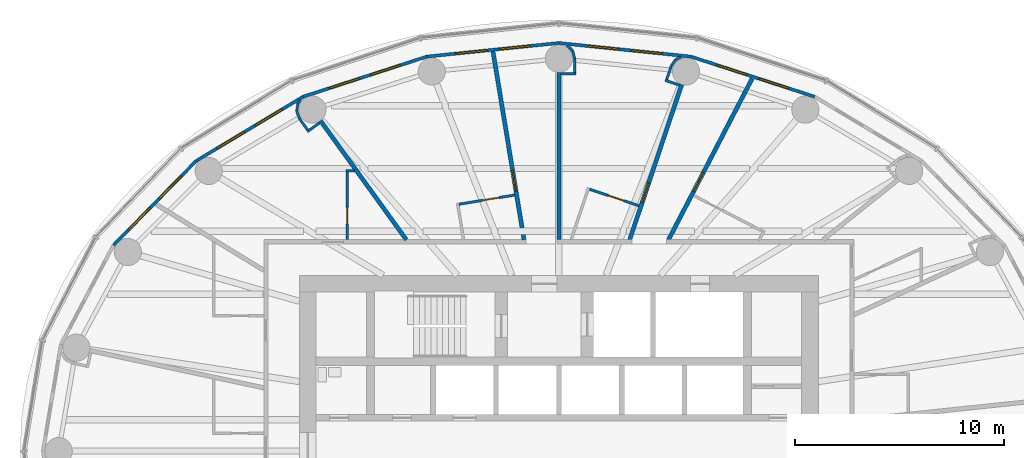
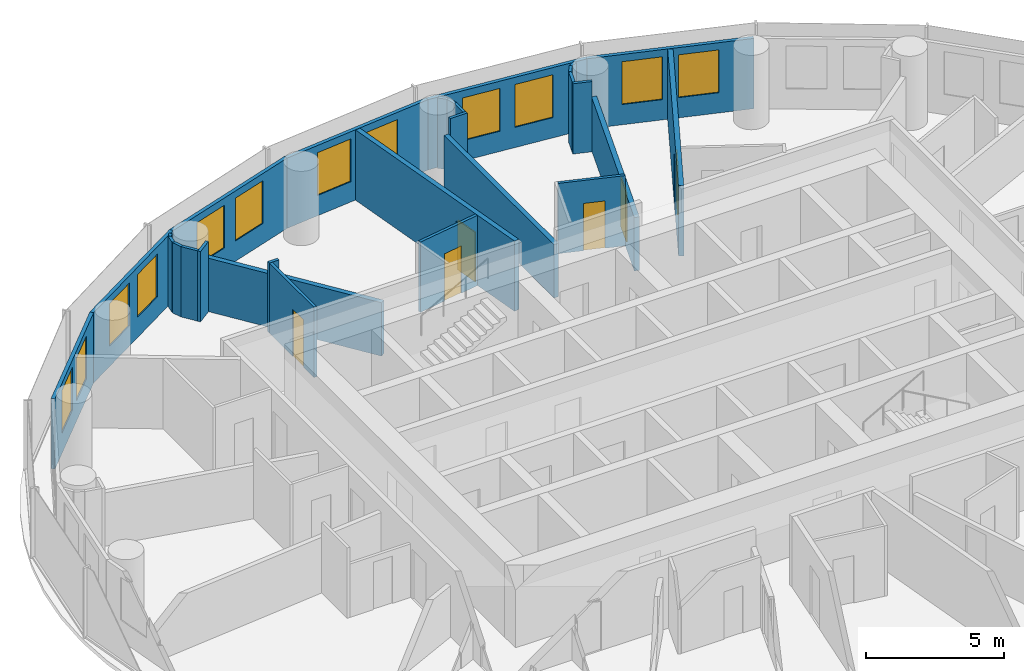
# One storey, part 11 of 14: 28 walls, 12 windows, 6 doors, 18 openings.
"""IFC4 building model written with IfcOpenShell, lengths in metres."""

from ifc_helpers import new_model, si_unit, direction, frame, frame_2d, origin, place, context, subcontext, project, spatial, rectangle, extrude, material, layer, layer_set, type_object, element, fill, save


model = new_model("IFC4")

# Units and contexts
model_context = context("Model", 3, precision=1e-05, world=origin(), true_north=direction((0.0, 1.0)))
body_context = subcontext(model_context, "Body", "Model", "MODEL_VIEW")
ifc_project = project(units=[si_unit("LENGTHUNIT", "METRE"), si_unit("AREAUNIT", "SQUARE_METRE"), si_unit("VOLUMEUNIT", "CUBIC_METRE"), si_unit("PLANEANGLEUNIT", "RADIAN"), si_unit("MASSUNIT", "GRAM", prefix="KILO")], contexts=[model_context])

# Site, building, storey
site_placement = place(None, origin())
site = spatial("IfcSite", under=ifc_project, at=site_placement, CompositionType="ELEMENT")
building_placement = place(site_placement, origin())
building = spatial("IfcBuilding", under=site, at=building_placement, Name="Hankou Lantern Tower", CompositionType="ELEMENT")
storey_placement = place(building_placement, frame((0.0, 0.0, 108.89990234375)))
storey = spatial("IfcBuildingStorey", under=building, at=storey_placement, Name="L27", CompositionType="ELEMENT", Elevation=108.89990234375)

# Wall, openings, windows
ifc_material_1 = material(Name="Aluminium spandrel panel on steel studs", Category="steel")
ifc_layer_1 = layer(ifc_material_1, 0.14990234375)
ifc_layer_set_1 = layer_set([ifc_layer_1], Name="Aluminium spandrel panel on steel studs")
wall_type_1 = type_object("IfcWallType", Name="EW1 INNER SKIN WALL 150", PredefinedType="ELEMENTEDWALL", material=ifc_layer_set_1)
wall_1_placement = place(storey_placement, frame((12.221435546875, 16.9345703125, 0.0), z_axis=(0.0, 0.0, 1.0), x_axis=(-0.951272691506, 0.308350881944, 0.0)))
wall_1 = element("IfcWall", 1, at=wall_1_placement, inside=storey, type_object=wall_type_1, Name="Inner skin R05-R06 L27", PredefinedType="ELEMENTEDWALL", context=body_context, shape_type="SweptSolid", body=[
    extrude(rectangle(XDim=6.210693359375, YDim=0.14990234375, at=frame_2d((3.10546875, 0.0))), origin(), (0.0, 0.0, 1.0), 3.1201171875),
])
opening_1_placement = place(wall_1_placement, frame((1.305419921875, 0.0, 0.89990234375)))
opening_1 = element("IfcOpeningElement", 2, at=opening_1_placement, cuts=wall_1, Name="Opening W2", PredefinedType="OPENING", context=body_context, shape_type="SweptSolid", body=[
    extrude(rectangle(XDim=1.5, YDim=1.89990234375, at=frame_2d((0.75, 0.949951171875))), frame((0.0, 0.0849609375, 0.0), z_axis=(0.0, -1.0, 0.0), x_axis=(1.0, 0.0, 0.0)), (0.0, 0.0, 1.0), 0.169921875),
])
opening_2_placement = place(wall_1_placement, frame((3.4052734375, 0.0, 0.89990234375)))
opening_2 = element("IfcOpeningElement", 3, at=opening_2_placement, cuts=wall_1, Name="Opening W2", PredefinedType="OPENING", context=body_context, shape_type="SweptSolid", body=[
    extrude(rectangle(XDim=1.5, YDim=1.89990234375, at=frame_2d((0.75, 0.949951171875))), frame((0.0, 0.0849609375, 0.0), z_axis=(0.0, -1.0, 0.0), x_axis=(1.0, 0.0, 0.0)), (0.0, 0.0, 1.0), 0.169921875),
])
ifc_material_2 = material(Name="Aluminium framed double glazed window", Category="aluminium")
window_type = type_object("IfcWindowType", Name="W2 GUEST ROOM WINDOW 1500X1900", PartitioningType="DOUBLE_PANEL_VERTICAL", PredefinedType="WINDOW", material=ifc_material_2)
window_1_placement = place(opening_1_placement, origin())
window_1 = element("IfcWindow", 4, at=window_1_placement, inside=storey, type_object=window_type, Name="Window R05.1 L27", OverallHeight=1.89990234375, OverallWidth=1.5, PartitioningType="SINGLE_PANEL", PredefinedType="WINDOW", context=body_context, shape_type="SweptSolid", body=[
    extrude(rectangle(XDim=1.5, YDim=1.89990234375, at=frame_2d((0.75, 0.949951171875))), frame((0.0, 0.030029296875, 0.0), z_axis=(0.0, -1.0, 0.0), x_axis=(1.0, 0.0, 0.0)), (0.0, 0.0, 1.0), 0.06005859375),
])
fill(opening_1, window_1)
window_2_placement = place(opening_2_placement, origin())
window_2 = element("IfcWindow", 5, at=window_2_placement, inside=storey, type_object=window_type, Name="Window R05.2 L27", OverallHeight=1.89990234375, OverallWidth=1.5, PartitioningType="SINGLE_PANEL", PredefinedType="WINDOW", context=body_context, shape_type="SweptSolid", body=[
    extrude(rectangle(XDim=1.5, YDim=1.89990234375, at=frame_2d((0.75, 0.949951171875))), frame((0.0, 0.030029296875, 0.0), z_axis=(0.0, -1.0, 0.0), x_axis=(1.0, 0.0, 0.0)), (0.0, 0.0, 1.0), 0.06005859375),
])
fill(opening_2, window_2)

wall_2_placement = place(storey_placement, frame((6.3134765625, 18.849609375, 0.0), z_axis=(0.0, 0.0, 1.0), x_axis=(-0.994735690163, 0.102473931887, 0.0)))
wall_2 = element("IfcWall", 6, at=wall_2_placement, inside=storey, type_object=wall_type_1, Name="Inner skin R06-R07 L27", PredefinedType="ELEMENTEDWALL", context=body_context, shape_type="SweptSolid", body=[
    extrude(rectangle(XDim=6.346923828125, YDim=0.14990234375, at=frame_2d((3.17333984375, 0.0))), origin(), (0.0, 0.0, 1.0), 3.1201171875),
])
opening_3_placement = place(wall_2_placement, frame((1.373291015625, 0.0, 0.89990234375)))
opening_3 = element("IfcOpeningElement", 7, at=opening_3_placement, cuts=wall_2, Name="Opening W2", PredefinedType="OPENING", context=body_context, shape_type="SweptSolid", body=[
    extrude(rectangle(XDim=1.5, YDim=1.89990234375, at=frame_2d((0.75, 0.949951171875))), frame((0.0, 0.0849609375, 0.0), z_axis=(0.0, -1.0, 0.0), x_axis=(1.0, 0.0, 0.0)), (0.0, 0.0, 1.0), 0.169921875),
])
opening_4_placement = place(wall_2_placement, frame((3.473388671875, 0.0, 0.89990234375)))
opening_4 = element("IfcOpeningElement", 8, at=opening_4_placement, cuts=wall_2, Name="Opening W2", PredefinedType="OPENING", context=body_context, shape_type="SweptSolid", body=[
    extrude(rectangle(XDim=1.5, YDim=1.89990234375, at=frame_2d((0.75, 0.949951171875))), frame((0.0, 0.0849609375, 0.0), z_axis=(0.0, -1.0, 0.0), x_axis=(1.0, 0.0, 0.0)), (0.0, 0.0, 1.0), 0.169921875),
])
window_3_placement = place(opening_3_placement, origin())
window_3 = element("IfcWindow", 9, at=window_3_placement, inside=storey, type_object=window_type, Name="Window R06.1 L27", OverallHeight=1.89990234375, OverallWidth=1.5, PartitioningType="SINGLE_PANEL", PredefinedType="WINDOW", context=body_context, shape_type="SweptSolid", body=[
    extrude(rectangle(XDim=1.5, YDim=1.89990234375, at=frame_2d((0.75, 0.949951171875))), frame((0.0, 0.030029296875, 0.0), z_axis=(0.0, -1.0, 0.0), x_axis=(1.0, 0.0, 0.0)), (0.0, 0.0, 1.0), 0.06005859375),
])
fill(opening_3, window_3)
window_4_placement = place(opening_4_placement, origin())
window_4 = element("IfcWindow", 10, at=window_4_placement, inside=storey, type_object=window_type, Name="Window R06.2 L27", OverallHeight=1.89990234375, OverallWidth=1.5, PartitioningType="SINGLE_PANEL", PredefinedType="WINDOW", context=body_context, shape_type="SweptSolid", body=[
    extrude(rectangle(XDim=1.5, YDim=1.89990234375, at=frame_2d((0.75, 0.949951171875))), frame((0.0, 0.030029296875, 0.0), z_axis=(0.0, -1.0, 0.0), x_axis=(1.0, 0.0, 0.0)), (0.0, 0.0, 1.0), 0.06005859375),
])
fill(opening_4, window_4)

wall_3_placement = place(storey_placement, frame((0.0, 19.5, 0.0), z_axis=(0.0, 0.0, 1.0), x_axis=(-0.994735690163, -0.102473931887, 0.0)))
wall_3 = element("IfcWall", 11, at=wall_3_placement, inside=storey, type_object=wall_type_1, Name="Inner skin R07-R08 L27", PredefinedType="ELEMENTEDWALL", context=body_context, shape_type="SweptSolid", body=[
    extrude(rectangle(XDim=6.346923828125, YDim=0.14990234375, at=frame_2d((3.17333984375, 0.0))), origin(), (0.0, 0.0, 1.0), 3.1201171875),
])
opening_5_placement = place(wall_3_placement, frame((1.373291015625, 0.0, 0.89990234375)))
opening_5 = element("IfcOpeningElement", 12, at=opening_5_placement, cuts=wall_3, Name="Opening W2", PredefinedType="OPENING", context=body_context, shape_type="SweptSolid", body=[
    extrude(rectangle(XDim=1.5, YDim=1.89990234375, at=frame_2d((0.75, 0.949951171875))), frame((0.0, 0.0849609375, 0.0), z_axis=(0.0, -1.0, 0.0), x_axis=(1.0, 0.0, 0.0)), (0.0, 0.0, 1.0), 0.169921875),
])
opening_6_placement = place(wall_3_placement, frame((3.473388671875, 0.0, 0.89990234375)))
opening_6 = element("IfcOpeningElement", 13, at=opening_6_placement, cuts=wall_3, Name="Opening W2", PredefinedType="OPENING", context=body_context, shape_type="SweptSolid", body=[
    extrude(rectangle(XDim=1.5, YDim=1.89990234375, at=frame_2d((0.75, 0.949951171875))), frame((0.0, 0.0849609375, 0.0), z_axis=(0.0, -1.0, 0.0), x_axis=(1.0, 0.0, 0.0)), (0.0, 0.0, 1.0), 0.169921875),
])
window_5_placement = place(opening_5_placement, origin())
window_5 = element("IfcWindow", 14, at=window_5_placement, inside=storey, type_object=window_type, Name="Window R07.1 L27", OverallHeight=1.89990234375, OverallWidth=1.5, PartitioningType="SINGLE_PANEL", PredefinedType="WINDOW", context=body_context, shape_type="SweptSolid", body=[
    extrude(rectangle(XDim=1.5, YDim=1.89990234375, at=frame_2d((0.75, 0.949951171875))), frame((0.0, 0.030029296875, 0.0), z_axis=(0.0, -1.0, 0.0), x_axis=(1.0, 0.0, 0.0)), (0.0, 0.0, 1.0), 0.06005859375),
])
fill(opening_5, window_5)
window_6_placement = place(opening_6_placement, origin())
window_6 = element("IfcWindow", 15, at=window_6_placement, inside=storey, type_object=window_type, Name="Window R07.2 L27", OverallHeight=1.89990234375, OverallWidth=1.5, PartitioningType="SINGLE_PANEL", PredefinedType="WINDOW", context=body_context, shape_type="SweptSolid", body=[
    extrude(rectangle(XDim=1.5, YDim=1.89990234375, at=frame_2d((0.75, 0.949951171875))), frame((0.0, 0.030029296875, 0.0), z_axis=(0.0, -1.0, 0.0), x_axis=(1.0, 0.0, 0.0)), (0.0, 0.0, 1.0), 0.06005859375),
])
fill(opening_6, window_6)

wall_4_placement = place(storey_placement, frame((-6.3134765625, 18.849609375, 0.0), z_axis=(0.0, 0.0, 1.0), x_axis=(-0.951272691506, -0.308350881944, 0.0)))
wall_4 = element("IfcWall", 16, at=wall_4_placement, inside=storey, type_object=wall_type_1, Name="Inner skin R08-R09 L27", PredefinedType="ELEMENTEDWALL", context=body_context, shape_type="SweptSolid", body=[
    extrude(rectangle(XDim=6.210693359375, YDim=0.14990234375, at=frame_2d((3.10546875, 0.0))), origin(), (0.0, 0.0, 1.0), 3.1201171875),
])
opening_7_placement = place(wall_4_placement, frame((1.305419921875, 0.0, 0.89990234375)))
opening_7 = element("IfcOpeningElement", 17, at=opening_7_placement, cuts=wall_4, Name="Opening W2", PredefinedType="OPENING", context=body_context, shape_type="SweptSolid", body=[
    extrude(rectangle(XDim=1.5, YDim=1.89990234375, at=frame_2d((0.75, 0.949951171875))), frame((0.0, 0.0849609375, 0.0), z_axis=(0.0, -1.0, 0.0), x_axis=(1.0, 0.0, 0.0)), (0.0, 0.0, 1.0), 0.169921875),
])
opening_8_placement = place(wall_4_placement, frame((3.4052734375, 0.0, 0.89990234375)))
opening_8 = element("IfcOpeningElement", 18, at=opening_8_placement, cuts=wall_4, Name="Opening W2", PredefinedType="OPENING", context=body_context, shape_type="SweptSolid", body=[
    extrude(rectangle(XDim=1.5, YDim=1.89990234375, at=frame_2d((0.75, 0.949951171875))), frame((0.0, 0.0849609375, 0.0), z_axis=(0.0, -1.0, 0.0), x_axis=(1.0, 0.0, 0.0)), (0.0, 0.0, 1.0), 0.169921875),
])
window_7_placement = place(opening_7_placement, origin())
window_7 = element("IfcWindow", 19, at=window_7_placement, inside=storey, type_object=window_type, Name="Window R08.1 L27", OverallHeight=1.89990234375, OverallWidth=1.5, PartitioningType="SINGLE_PANEL", PredefinedType="WINDOW", context=body_context, shape_type="SweptSolid", body=[
    extrude(rectangle(XDim=1.5, YDim=1.89990234375, at=frame_2d((0.75, 0.949951171875))), frame((0.0, 0.030029296875, 0.0), z_axis=(0.0, -1.0, 0.0), x_axis=(1.0, 0.0, 0.0)), (0.0, 0.0, 1.0), 0.06005859375),
])
fill(opening_7, window_7)
window_8_placement = place(opening_8_placement, origin())
window_8 = element("IfcWindow", 20, at=window_8_placement, inside=storey, type_object=window_type, Name="Window R08.2 L27", OverallHeight=1.89990234375, OverallWidth=1.5, PartitioningType="SINGLE_PANEL", PredefinedType="WINDOW", context=body_context, shape_type="SweptSolid", body=[
    extrude(rectangle(XDim=1.5, YDim=1.89990234375, at=frame_2d((0.75, 0.949951171875))), frame((0.0, 0.030029296875, 0.0), z_axis=(0.0, -1.0, 0.0), x_axis=(1.0, 0.0, 0.0)), (0.0, 0.0, 1.0), 0.06005859375),
])
fill(opening_8, window_8)

wall_5_placement = place(storey_placement, frame((-12.221435546875, 16.9345703125, 0.0), z_axis=(0.0, 0.0, 1.0), x_axis=(-0.857308573723, -0.514802884044, 0.0)))
wall_5 = element("IfcWall", 21, at=wall_5_placement, inside=storey, type_object=wall_type_1, Name="Inner skin R09-R10 L27", PredefinedType="ELEMENTEDWALL", context=body_context, shape_type="SweptSolid", body=[
    extrude(rectangle(XDim=5.961181640625, YDim=0.14990234375, at=frame_2d((2.98046875, 0.0))), origin(), (0.0, 0.0, 1.0), 3.1201171875),
])
opening_9_placement = place(wall_5_placement, frame((1.1806640625, 0.0, 0.89990234375)))
opening_9 = element("IfcOpeningElement", 22, at=opening_9_placement, cuts=wall_5, Name="Opening W2", PredefinedType="OPENING", context=body_context, shape_type="SweptSolid", body=[
    extrude(rectangle(XDim=1.5, YDim=1.89990234375, at=frame_2d((0.75, 0.949951171875))), frame((0.0, 0.0849609375, 0.0), z_axis=(0.0, -1.0, 0.0), x_axis=(1.0, 0.0, 0.0)), (0.0, 0.0, 1.0), 0.169921875),
])
opening_10_placement = place(wall_5_placement, frame((3.280517578125, 0.0, 0.89990234375)))
opening_10 = element("IfcOpeningElement", 23, at=opening_10_placement, cuts=wall_5, Name="Opening W2", PredefinedType="OPENING", context=body_context, shape_type="SweptSolid", body=[
    extrude(rectangle(XDim=1.5, YDim=1.89990234375, at=frame_2d((0.75, 0.949951171875))), frame((0.0, 0.0849609375, 0.0), z_axis=(0.0, -1.0, 0.0), x_axis=(1.0, 0.0, 0.0)), (0.0, 0.0, 1.0), 0.169921875),
])
window_9_placement = place(opening_9_placement, origin())
window_9 = element("IfcWindow", 24, at=window_9_placement, inside=storey, type_object=window_type, Name="Window R09.1 L27", OverallHeight=1.89990234375, OverallWidth=1.5, PartitioningType="SINGLE_PANEL", PredefinedType="WINDOW", context=body_context, shape_type="SweptSolid", body=[
    extrude(rectangle(XDim=1.5, YDim=1.89990234375, at=frame_2d((0.75, 0.949951171875))), frame((0.0, 0.030029296875, 0.0), z_axis=(0.0, -1.0, 0.0), x_axis=(1.0, 0.0, 0.0)), (0.0, 0.0, 1.0), 0.06005859375),
])
fill(opening_9, window_9)
window_10_placement = place(opening_10_placement, origin())
window_10 = element("IfcWindow", 25, at=window_10_placement, inside=storey, type_object=window_type, Name="Window R09.2 L27", OverallHeight=1.89990234375, OverallWidth=1.5, PartitioningType="SINGLE_PANEL", PredefinedType="WINDOW", context=body_context, shape_type="SweptSolid", body=[
    extrude(rectangle(XDim=1.5, YDim=1.89990234375, at=frame_2d((0.75, 0.949951171875))), frame((0.0, 0.030029296875, 0.0), z_axis=(0.0, -1.0, 0.0), x_axis=(1.0, 0.0, 0.0)), (0.0, 0.0, 1.0), 0.06005859375),
])
fill(opening_10, window_10)

wall_6_placement = place(storey_placement, frame((-17.33203125, 13.86572265625, 0.0), z_axis=(0.0, 0.0, 1.0), x_axis=(-0.700136650834, -0.714008872605, 0.0)))
wall_6 = element("IfcWall", 26, at=wall_6_placement, inside=storey, type_object=wall_type_1, Name="Inner skin R10-R11 L27", PredefinedType="ELEMENTEDWALL", context=body_context, shape_type="SweptSolid", body=[
    extrude(rectangle(XDim=5.6494140625, YDim=0.14990234375, at=frame_2d((2.82470703125, 0.0))), origin(), (0.0, 0.0, 1.0), 3.1201171875),
])
opening_11_placement = place(wall_6_placement, frame((1.024658203125, 0.0, 0.89990234375)))
opening_11 = element("IfcOpeningElement", 27, at=opening_11_placement, cuts=wall_6, Name="Opening W2", PredefinedType="OPENING", context=body_context, shape_type="SweptSolid", body=[
    extrude(rectangle(XDim=1.5, YDim=1.89990234375, at=frame_2d((0.75, 0.949951171875))), frame((0.0, 0.0849609375, 0.0), z_axis=(0.0, -1.0, 0.0), x_axis=(1.0, 0.0, 0.0)), (0.0, 0.0, 1.0), 0.169921875),
])
opening_12_placement = place(wall_6_placement, frame((3.12451171875, 0.0, 0.89990234375)))
opening_12 = element("IfcOpeningElement", 28, at=opening_12_placement, cuts=wall_6, Name="Opening W2", PredefinedType="OPENING", context=body_context, shape_type="SweptSolid", body=[
    extrude(rectangle(XDim=1.5, YDim=1.89990234375, at=frame_2d((0.75, 0.949951171875))), frame((0.0, 0.0849609375, 0.0), z_axis=(0.0, -1.0, 0.0), x_axis=(1.0, 0.0, 0.0)), (0.0, 0.0, 1.0), 0.169921875),
])
window_11_placement = place(opening_11_placement, origin())
window_11 = element("IfcWindow", 29, at=window_11_placement, inside=storey, type_object=window_type, Name="Window R10.1 L27", OverallHeight=1.89990234375, OverallWidth=1.5, PartitioningType="SINGLE_PANEL", PredefinedType="WINDOW", context=body_context, shape_type="SweptSolid", body=[
    extrude(rectangle(XDim=1.5, YDim=1.89990234375, at=frame_2d((0.75, 0.949951171875))), frame((0.0, 0.030029296875, 0.0), z_axis=(0.0, -1.0, 0.0), x_axis=(1.0, 0.0, 0.0)), (0.0, 0.0, 1.0), 0.06005859375),
])
fill(opening_11, window_11)
window_12_placement = place(opening_12_placement, origin())
window_12 = element("IfcWindow", 30, at=window_12_placement, inside=storey, type_object=window_type, Name="Window R10.2 L27", OverallHeight=1.89990234375, OverallWidth=1.5, PartitioningType="SINGLE_PANEL", PredefinedType="WINDOW", context=body_context, shape_type="SweptSolid", body=[
    extrude(rectangle(XDim=1.5, YDim=1.89990234375, at=frame_2d((0.75, 0.949951171875))), frame((0.0, 0.030029296875, 0.0), z_axis=(0.0, -1.0, 0.0), x_axis=(1.0, 0.0, 0.0)), (0.0, 0.0, 1.0), 0.06005859375),
])
fill(opening_12, window_12)

# Wall
ifc_material_3 = material(Name="Masonry lightweight concrete block", Category="masonry")
ifc_layer_2 = layer(ifc_material_3, 0.199951171875)
ifc_layer_set_2 = layer_set([ifc_layer_2], Name="Masonry lightweight concrete block")
wall_type_2 = type_object("IfcWallType", Name="IW1 GUEST ROOM PARTY WALL 200", PredefinedType="PARTITIONING", material=ifc_layer_set_2)
wall_7_placement = place(storey_placement, frame((-7.2890625, 10.10009765625, 0.0), z_axis=(0.0, 0.0, 1.0), x_axis=(-0.585217367024, 0.81087645997, 0.0)))
element("IfcWall", 31, at=wall_7_placement, inside=storey, type_object=wall_type_2, Name="Party wall R09", PredefinedType="PARTITIONING", context=body_context, shape_type="SweptSolid", body=[
    extrude(rectangle(XDim=7.01611328125, YDim=0.199951171875, at=frame_2d((3.508056640625, 0.0))), origin(), (0.0, 0.0, 1.0), 2.3701171875),
])

# Wall, opening, door
ifc_material_4 = material(Name="Masonry lightweight concrete block", Category="masonry")
ifc_layer_3 = layer(ifc_material_4, 0.199951171875)
ifc_layer_set_3 = layer_set([ifc_layer_3], Name="Masonry lightweight concrete block")
wall_type_3 = type_object("IfcWallType", Name="IW2 CORRIDOR WALL 200", PredefinedType="PARTITIONING", material=ifc_layer_set_3)
wall_8_placement = place(storey_placement, frame((5.2392578125, 10.10009765625, 0.0), z_axis=(0.0, 0.0, 1.0), x_axis=(0.4604797896, 0.887670188398, 0.0)))
wall_8 = element("IfcWall", 32, at=wall_8_placement, inside=storey, type_object=wall_type_3, Name="Corridor spur wall R05-R06", PredefinedType="PARTITIONING", context=body_context, shape_type="SweptSolid", body=[
    extrude(rectangle(XDim=8.676025390625, YDim=0.199951171875, at=frame_2d((4.337890625, 0.0))), origin(), (0.0, 0.0, 1.0), 3.1201171875),
])
opening_13_placement = place(wall_8_placement, frame((2.610107421875, 0.0, 0.0)))
opening_13 = element("IfcOpeningElement", 33, at=opening_13_placement, cuts=wall_8, Name="Opening D1", PredefinedType="OPENING", context=body_context, shape_type="SweptSolid", body=[
    extrude(rectangle(XDim=1.0, YDim=2.199951171875, at=frame_2d((0.5, 1.10009765625))), frame((0.0, 0.10986328125, 0.0), z_axis=(0.0, -1.0, 0.0), x_axis=(1.0, 0.0, 0.0)), (0.0, 0.0, 1.0), 0.219970703125),
])
ifc_material_5 = material(Name="Steel door leaf", Category="steel")
door_type_1 = type_object("IfcDoorType", Name="D1 GUEST ROOM DOOR 1000X2200", OperationType="SINGLE_SWING_LEFT", PredefinedType="DOOR", material=ifc_material_5)
door_1_placement = place(opening_13_placement, origin())
door_1 = element("IfcDoor", 34, at=door_1_placement, inside=storey, type_object=door_type_1, Name="Guest room door 2720", OperationType="SINGLE_SWING_RIGHT", OverallHeight=2.199951171875, OverallWidth=1.0, PredefinedType="DOOR", context=body_context, shape_type="SweptSolid", body=[
    extrude(rectangle(XDim=1.0, YDim=2.199951171875, at=frame_2d((0.5, 1.10009765625))), frame((0.0, 0.02490234375, 0.0), z_axis=(0.0, -1.0, 0.0), x_axis=(1.0, 0.0, 0.0)), (0.0, 0.0, 1.0), 0.050048828125),
])
fill(opening_13, door_1)

wall_9_placement = place(storey_placement, frame((3.3828125, 10.10009765625, 0.0), z_axis=(0.0, 0.0, 1.0), x_axis=(0.317603705574, 0.948223542318, 0.0)))
wall_9 = element("IfcWall", 35, at=wall_9_placement, inside=storey, type_object=wall_type_3, Name="Corridor spur wall R06", PredefinedType="PARTITIONING", context=body_context, shape_type="SweptSolid", body=[
    extrude(rectangle(XDim=7.822998046875, YDim=0.199951171875, at=frame_2d((3.91162109375, 0.0))), origin(), (0.0, 0.0, 1.0), 2.3701171875),
])
opening_14_placement = place(wall_9_placement, frame((1.860107421875, 0.0, 0.0)))
opening_14 = element("IfcOpeningElement", 36, at=opening_14_placement, cuts=wall_9, Name="Opening D1", PredefinedType="OPENING", context=body_context, shape_type="SweptSolid", body=[
    extrude(rectangle(XDim=1.0, YDim=2.199951171875, at=frame_2d((0.5, 1.10009765625))), frame((0.0, 0.10986328125, 0.0), z_axis=(0.0, -1.0, 0.0), x_axis=(1.0, 0.0, 0.0)), (0.0, 0.0, 1.0), 0.219970703125),
])
door_2_placement = place(opening_14_placement, origin())
door_2 = element("IfcDoor", 37, at=door_2_placement, inside=storey, type_object=door_type_1, Name="Guest room door 2702", OperationType="SINGLE_SWING_LEFT", OverallHeight=2.199951171875, OverallWidth=1.0, PredefinedType="DOOR", context=body_context, shape_type="SweptSolid", body=[
    extrude(rectangle(XDim=1.0, YDim=2.199951171875, at=frame_2d((0.5, 1.10009765625))), frame((0.0, 0.02490234375, 0.0), z_axis=(0.0, -1.0, 0.0), x_axis=(1.0, 0.0, 0.0)), (0.0, 0.0, 1.0), 0.050048828125),
])
fill(opening_14, door_2)

# Wall
wall_10_placement = place(storey_placement, frame((0.0, 10.10009765625, 0.0), z_axis=(0.0, 0.0, 1.0), x_axis=(0.0, 1.0, 0.0)))
element("IfcWall", 38, at=wall_10_placement, inside=storey, type_object=wall_type_3, Name="Corridor spur wall R07", PredefinedType="PARTITIONING", context=body_context, shape_type="SweptSolid", body=[
    extrude(rectangle(XDim=8.0, YDim=0.199951171875, at=frame_2d((4.0, 0.0))), origin(), (0.0, 0.0, 1.0), 2.3701171875),
])

# Wall, opening, door
wall_11_placement = place(storey_placement, frame((-1.665283203125, 10.10009765625, 0.0), z_axis=(0.0, 0.0, 1.0), x_axis=(-0.162660519103, 0.986682094459, 0.0)))
wall_11 = element("IfcWall", 39, at=wall_11_placement, inside=storey, type_object=wall_type_3, Name="Corridor spur wall R07-R08", PredefinedType="PARTITIONING", context=body_context, shape_type="SweptSolid", body=[
    extrude(rectangle(XDim=9.110595703125, YDim=0.199951171875, at=frame_2d((4.55517578125, 0.0))), origin(), (0.0, 0.0, 1.0), 3.1201171875),
])
opening_15_placement = place(wall_11_placement, frame((2.360107421875, 0.0, 0.0)))
opening_15 = element("IfcOpeningElement", 40, at=opening_15_placement, cuts=wall_11, Name="Opening D1", PredefinedType="OPENING", context=body_context, shape_type="SweptSolid", body=[
    extrude(rectangle(XDim=1.0, YDim=2.199951171875, at=frame_2d((0.5, 1.10009765625))), frame((0.0, 0.10986328125, 0.0), z_axis=(0.0, -1.0, 0.0), x_axis=(1.0, 0.0, 0.0)), (0.0, 0.0, 1.0), 0.219970703125),
])
door_3_placement = place(opening_15_placement, origin())
door_3 = element("IfcDoor", 41, at=door_3_placement, inside=storey, type_object=door_type_1, Name="Guest room door 2704", OperationType="SINGLE_SWING_LEFT", OverallHeight=2.199951171875, OverallWidth=1.0, PredefinedType="DOOR", context=body_context, shape_type="SweptSolid", body=[
    extrude(rectangle(XDim=1.0, YDim=2.199951171875, at=frame_2d((0.5, 1.10009765625))), frame((0.0, 0.02490234375, 0.0), z_axis=(0.0, -1.0, 0.0), x_axis=(1.0, 0.0, 0.0)), (0.0, 0.0, 1.0), 0.050048828125),
])
fill(opening_15, door_3)

ifc_material_6 = material(Name="Masonry lightweight concrete block", Category="masonry")
ifc_layer_4 = layer(ifc_material_6, 0.1201171875)
ifc_layer_set_4 = layer_set([ifc_layer_4], Name="Masonry lightweight concrete block")
wall_type_4 = type_object("IfcWallType", Name="IW3 BATHROOM WALL 120", PredefinedType="PARTITIONING", material=ifc_layer_set_4)
wall_12_placement = place(storey_placement, frame((3.821533203125, 11.724853515625, 0.0), z_axis=(0.0, 0.0, 1.0), x_axis=(-0.948231307998, 0.317580519761, 0.0)))
wall_12 = element("IfcWall", 42, at=wall_12_placement, inside=storey, type_object=wall_type_4, Name="Box wall 2702 1", PredefinedType="PARTITIONING", context=body_context, shape_type="SweptSolid", body=[
    extrude(rectangle(XDim=2.489990234375, YDim=0.1201171875, at=frame_2d((1.2451171875, 0.0))), origin(), (0.0, 0.0, 1.0), 3.1201171875),
])
opening_16_placement = place(wall_12_placement, frame((0.75, 0.0, 0.0)))
opening_16 = element("IfcOpeningElement", 43, at=opening_16_placement, cuts=wall_12, Name="Opening D3", PredefinedType="OPENING", context=body_context, shape_type="SweptSolid", body=[
    extrude(rectangle(XDim=0.800048828125, YDim=2.10009765625, at=frame_2d((0.39990234375, 1.050048828125))), frame((0.0, 0.070068359375, 0.0), z_axis=(0.0, -1.0, 0.0), x_axis=(1.0, 0.0, 0.0)), (0.0, 0.0, 1.0), 0.14013671875),
])
ifc_material_7 = material(Name="Timber door leaf", Category="wood")
door_type_2 = type_object("IfcDoorType", Name="D3 BATHROOM DOOR 800X2100", OperationType="SINGLE_SWING_LEFT", PredefinedType="DOOR", material=ifc_material_7)
door_4_placement = place(opening_16_placement, origin())
door_4 = element("IfcDoor", 44, at=door_4_placement, inside=storey, type_object=door_type_2, Name="En-suite bathroom 2702 door", OperationType="SINGLE_SWING_LEFT", OverallHeight=2.10009765625, OverallWidth=0.800048828125, PredefinedType="DOOR", context=body_context, shape_type="SweptSolid", body=[
    extrude(rectangle(XDim=0.800048828125, YDim=2.10009765625, at=frame_2d((0.39990234375, 1.050048828125))), frame((0.0, 0.02490234375, 0.0), z_axis=(0.0, -1.0, 0.0), x_axis=(1.0, 0.0, 0.0)), (0.0, 0.0, 1.0), 0.050048828125),
])
fill(opening_16, door_4)

wall_13_placement = place(storey_placement, frame((-2.118408203125, 12.234619140625, 0.0), z_axis=(0.0, 0.0, 1.0), x_axis=(-0.986686682911, -0.16263268357, 0.0)))
wall_13 = element("IfcWall", 45, at=wall_13_placement, inside=storey, type_object=wall_type_4, Name="Box wall 2704 1", PredefinedType="PARTITIONING", context=body_context, shape_type="SweptSolid", body=[
    extrude(rectangle(XDim=2.690185546875, YDim=0.1201171875, at=frame_2d((1.34521484375, 0.0))), origin(), (0.0, 0.0, 1.0), 3.1201171875),
])
opening_17_placement = place(wall_13_placement, frame((0.75, 0.0, 0.0)))
opening_17 = element("IfcOpeningElement", 46, at=opening_17_placement, cuts=wall_13, Name="Opening D3", PredefinedType="OPENING", context=body_context, shape_type="SweptSolid", body=[
    extrude(rectangle(XDim=0.800048828125, YDim=2.10009765625, at=frame_2d((0.39990234375, 1.050048828125))), frame((0.0, 0.070068359375, 0.0), z_axis=(0.0, -1.0, 0.0), x_axis=(1.0, 0.0, 0.0)), (0.0, 0.0, 1.0), 0.14013671875),
])
door_5_placement = place(opening_17_placement, origin())
door_5 = element("IfcDoor", 47, at=door_5_placement, inside=storey, type_object=door_type_2, Name="En-suite bathroom 2704 door", OperationType="SINGLE_SWING_LEFT", OverallHeight=2.10009765625, OverallWidth=0.800048828125, PredefinedType="DOOR", context=body_context, shape_type="SweptSolid", body=[
    extrude(rectangle(XDim=0.800048828125, YDim=2.10009765625, at=frame_2d((0.39990234375, 1.050048828125))), frame((0.0, 0.02490234375, 0.0), z_axis=(0.0, -1.0, 0.0), x_axis=(1.0, 0.0, 0.0)), (0.0, 0.0, 1.0), 0.050048828125),
])
fill(opening_17, door_5)

# Wall
wall_14_placement = place(storey_placement, frame((-9.7705078125, 13.39990234375, 0.0), z_axis=(0.0, 0.0, 1.0), x_axis=(-1.0, 0.0, 0.0)))
element("IfcWall", 48, at=wall_14_placement, inside=storey, type_object=wall_type_4, Name="Box wall 2705 1", PredefinedType="PARTITIONING", context=body_context, shape_type="SweptSolid", body=[
    extrude(rectangle(XDim=0.408447265625, YDim=0.1201171875, at=frame_2d((0.2041015625, 0.0))), origin(), (0.0, 0.0, 1.0), 3.1201171875),
])

# Wall, opening, door
wall_15_placement = place(storey_placement, frame((-10.119140625, 10.10009765625, 0.0), z_axis=(0.0, 0.0, 1.0), x_axis=(0.0, 1.0, 0.0)))
wall_15 = element("IfcWall", 49, at=wall_15_placement, inside=storey, type_object=wall_type_4, Name="Box wall 2705 1", PredefinedType="PARTITIONING", context=body_context, shape_type="SweptSolid", body=[
    extrude(rectangle(XDim=3.239990234375, YDim=0.1201171875, at=frame_2d((1.6201171875, 0.0))), origin(), (0.0, 0.0, 1.0), 3.1201171875),
])
opening_18_placement = place(wall_15_placement, frame((0.75, 0.0, 0.0)))
opening_18 = element("IfcOpeningElement", 50, at=opening_18_placement, cuts=wall_15, Name="Opening D3", PredefinedType="OPENING", context=body_context, shape_type="SweptSolid", body=[
    extrude(rectangle(XDim=0.800048828125, YDim=2.10009765625, at=frame_2d((0.39990234375, 1.050048828125))), frame((0.0, 0.070068359375, 0.0), z_axis=(0.0, -1.0, 0.0), x_axis=(1.0, 0.0, 0.0)), (0.0, 0.0, 1.0), 0.14013671875),
])
door_6_placement = place(opening_18_placement, origin())
door_6 = element("IfcDoor", 51, at=door_6_placement, inside=storey, type_object=door_type_2, Name="En-suite bathroom 2705 door", OperationType="SINGLE_SWING_LEFT", OverallHeight=2.10009765625, OverallWidth=0.800048828125, PredefinedType="DOOR", context=body_context, shape_type="SweptSolid", body=[
    extrude(rectangle(XDim=0.800048828125, YDim=2.10009765625, at=frame_2d((0.39990234375, 1.050048828125))), frame((0.0, 0.02490234375, 0.0), z_axis=(0.0, -1.0, 0.0), x_axis=(1.0, 0.0, 0.0)), (0.0, 0.0, 1.0), 0.050048828125),
])
fill(opening_18, door_6)

# Walls
ifc_material_8 = material(Name="Masonry lightweight concrete block", Category="masonry")
ifc_layer_5 = layer(ifc_material_8, 0.1201171875)
ifc_layer_set_5 = layer_set([ifc_layer_5], Name="Masonry lightweight concrete block")
wall_type_5 = type_object("IfcWallType", Name="IW4 PARTITION 120", PredefinedType="PARTITIONING", material=ifc_layer_set_5)
wall_16_placement = place(storey_placement, frame((5.753662109375, 17.492919921875, 0.0), z_axis=(0.0, 0.0, 1.0), x_axis=(-0.9482389443, 0.317557718397, 0.0)))
element("IfcWall", 52, at=wall_16_placement, inside=storey, type_object=wall_type_5, Name="Column casing R06 return", PredefinedType="PARTITIONING", context=body_context, shape_type="SweptSolid", body=[
    extrude(rectangle(XDim=0.7158203125, YDim=0.1201171875, at=frame_2d((0.35791015625, 0.0))), origin(), (0.0, 0.0, 1.0), 3.1201171875),
])
wall_17_placement = place(storey_placement, frame((5.15087890625, 17.758056640625, 0.0), z_axis=(0.0, 0.0, 1.0), x_axis=(0.317354244456, 0.948307061835, 0.0)))
element("IfcWall", 53, at=wall_17_placement, inside=storey, type_object=wall_type_5, Name="Column casing R06", PredefinedType="PARTITIONING", context=body_context, shape_type="SweptSolid", body=[
    extrude(rectangle(XDim=0.650146484375, YDim=0.1201171875, at=frame_2d((0.3251953125, 0.0))), origin(), (0.0, 0.0, 1.0), 3.1201171875),
])
wall_18_placement = place(storey_placement, frame((5.357177734375, 18.37451171875, 0.0), z_axis=(0.0, 0.0, 1.0), x_axis=(0.552249752128, 0.833678721856, 0.0)))
element("IfcWall", 54, at=wall_18_placement, inside=storey, type_object=wall_type_5, Name="Column casing R06", PredefinedType="PARTITIONING", context=body_context, shape_type="SweptSolid", body=[
    extrude(rectangle(XDim=0.391357421875, YDim=0.1201171875, at=frame_2d((0.19580078125, 0.0))), origin(), (0.0, 0.0, 1.0), 3.1201171875),
])
wall_19_placement = place(storey_placement, frame((5.5732421875, 18.70068359375, 0.0), z_axis=(0.0, 0.0, 1.0), x_axis=(0.895295561985, 0.445472621707, 0.0)))
element("IfcWall", 55, at=wall_19_placement, inside=storey, type_object=wall_type_5, Name="Column casing R06", PredefinedType="PARTITIONING", context=body_context, shape_type="SweptSolid", body=[
    extrude(rectangle(XDim=0.280517578125, YDim=0.1201171875, at=frame_2d((0.14013671875, 0.0))), origin(), (0.0, 0.0, 1.0), 3.1201171875),
])
wall_20_placement = place(storey_placement, frame((0.10009765625, 18.0400390625, 0.0), z_axis=(0.0, 0.0, 1.0), x_axis=(1.0, 0.0, 0.0)))
element("IfcWall", 56, at=wall_20_placement, inside=storey, type_object=wall_type_5, Name="Column casing R07 return", PredefinedType="PARTITIONING", context=body_context, shape_type="SweptSolid", body=[
    extrude(rectangle(XDim=0.715576171875, YDim=0.1201171875, at=frame_2d((0.35791015625, 0.0))), origin(), (0.0, 0.0, 1.0), 3.1201171875),
])
wall_21_placement = place(storey_placement, frame((0.755859375, 18.10009765625, 0.0), z_axis=(0.0, 0.0, 1.0), x_axis=(0.0, 1.0, 0.0)))
element("IfcWall", 57, at=wall_21_placement, inside=storey, type_object=wall_type_5, Name="Column casing R07", PredefinedType="PARTITIONING", context=body_context, shape_type="SweptSolid", body=[
    extrude(rectangle(XDim=0.64990234375, YDim=0.1201171875, at=frame_2d((0.324951171875, 0.0))), origin(), (0.0, 0.0, 1.0), 3.1201171875),
])
wall_22_placement = place(storey_placement, frame((0.755859375, 18.75, 0.0), z_axis=(0.0, 0.0, 1.0), x_axis=(-0.2589440045, 0.965892334856, 0.0)))
element("IfcWall", 58, at=wall_22_placement, inside=storey, type_object=wall_type_5, Name="Column casing R07", PredefinedType="PARTITIONING", context=body_context, shape_type="SweptSolid", body=[
    extrude(rectangle(XDim=0.391357421875, YDim=0.1201171875, at=frame_2d((0.19580078125, 0.0))), origin(), (0.0, 0.0, 1.0), 3.1201171875),
])
wall_23_placement = place(storey_placement, frame((0.654541015625, 19.1279296875, 0.0), z_axis=(0.0, 0.0, 1.0), x_axis=(-0.707443899976, 0.706769501596, 0.0)))
element("IfcWall", 59, at=wall_23_placement, inside=storey, type_object=wall_type_5, Name="Column casing R07", PredefinedType="PARTITIONING", context=body_context, shape_type="SweptSolid", body=[
    extrude(rectangle(XDim=0.362060546875, YDim=0.1201171875, at=frame_2d((0.18115234375, 0.0))), origin(), (0.0, 0.0, 1.0), 3.1201171875),
])
wall_24_placement = place(storey_placement, frame((-11.44091796875, 15.68212890625, 0.0), z_axis=(0.0, 0.0, 1.0), x_axis=(-0.810796141244, -0.585328640461, 0.0)))
element("IfcWall", 60, at=wall_24_placement, inside=storey, type_object=wall_type_5, Name="Column casing R09 return", PredefinedType="PARTITIONING", context=body_context, shape_type="SweptSolid", body=[
    extrude(rectangle(XDim=0.7158203125, YDim=0.1201171875, at=frame_2d((0.35791015625, 0.0))), origin(), (0.0, 0.0, 1.0), 3.1201171875),
])
wall_25_placement = place(storey_placement, frame((-12.0078125, 15.346923828125, 0.0), z_axis=(0.0, 0.0, 1.0), x_axis=(-0.585175102182, 0.810906961239, 0.0)))
element("IfcWall", 61, at=wall_25_placement, inside=storey, type_object=wall_type_5, Name="Column casing R09", PredefinedType="PARTITIONING", context=body_context, shape_type="SweptSolid", body=[
    extrude(rectangle(XDim=0.64990234375, YDim=0.1201171875, at=frame_2d((0.324951171875, 0.0))), origin(), (0.0, 0.0, 1.0), 3.1201171875),
])
for number, where, z_axis, x_axis, name in (
    (62, (-12.38818359375, 15.8740234375, 0.0), (0.0, 0.0, 1.0), (-0.355086882425, 0.934833303819, 0.0), "Column casing R09"),
    (63, (-12.527099609375, 16.23974609375, 0.0), (0.0, 0.0, 1.0), (0.159134335894, 0.987256938765, 0.0), "Column casing R09"),
):
    element("IfcWall", number, at=place(storey_placement, frame(where, z_axis=z_axis, x_axis=x_axis)), inside=storey, type_object=wall_type_5, Name=name, PredefinedType="PARTITIONING", context=body_context, shape_type="SweptSolid", body=[
        extrude(rectangle(XDim=0.39111328125, YDim=0.1201171875, at=frame_2d((0.195556640625, 0.0))), origin(), (0.0, 0.0, 1.0), 3.1201171875),
    ])
wall_26_placement = place(storey_placement, frame((-12.46484375, 16.6259765625, 0.0), z_axis=(0.0, 0.0, 1.0), x_axis=(0.631672951162, 0.775234985517, 0.0)))
element("IfcWall", 64, at=wall_26_placement, inside=storey, type_object=wall_type_5, Name="Column casing R09", PredefinedType="PARTITIONING", context=body_context, shape_type="SweptSolid", body=[
    extrude(rectangle(XDim=0.18701171875, YDim=0.1201171875, at=frame_2d((0.093505859375, 0.0))), origin(), (0.0, 0.0, 1.0), 3.1201171875),
])

save(model, "model.ifc")
